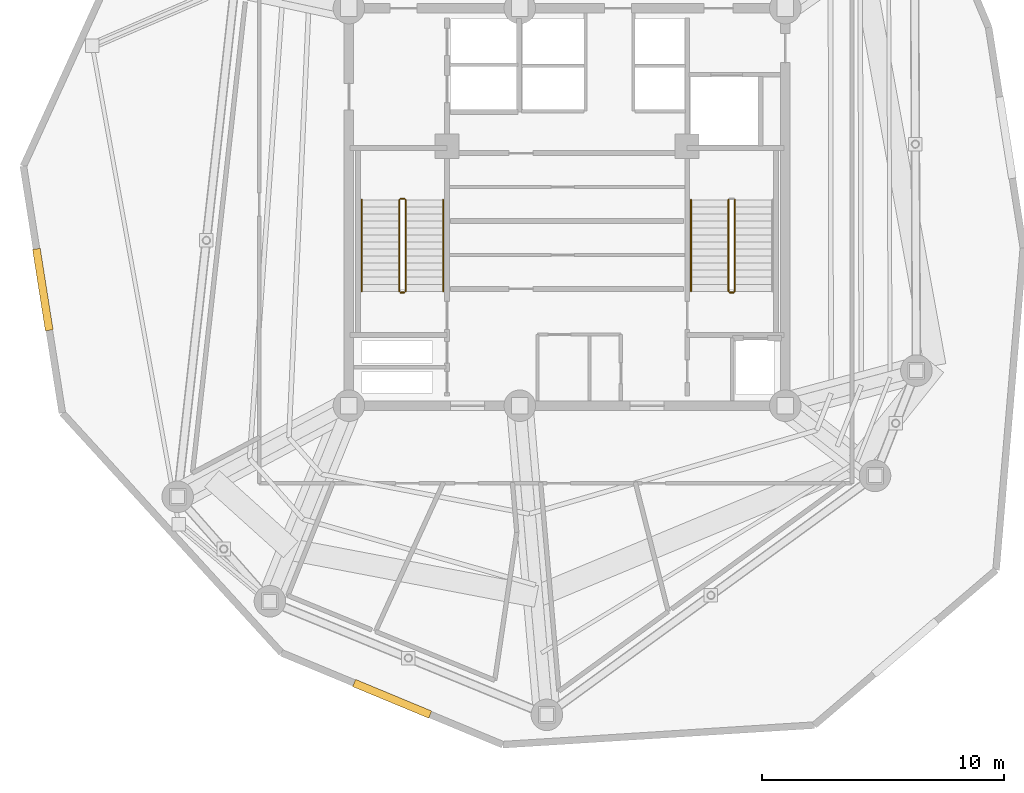
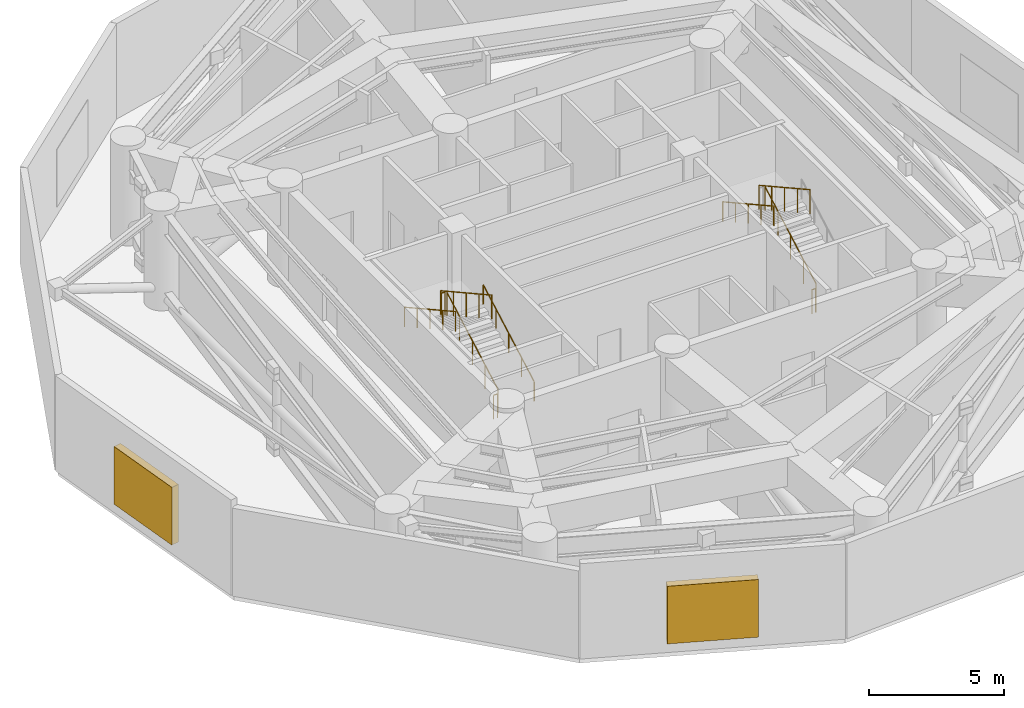
# One storey, part 9 of 11: 10 railings, 2 shading devices.
"""IFC4 building model written with IfcOpenShell, lengths in metres."""

import ifcopenshell
import ifcopenshell.guid

model = None  # the IFC model being written
_history = None  # IfcOwnerHistory: only IFC2X3 demands one
_inside = {}  # id of a spatial element -> (the spatial element, [elements in it])
_under = {}  # id of a project, library or spatial element -> (it, [spatial elements below it])
_declared = {}  # id of a project -> (the project, [libraries it declares])
_typed = {}  # id of a type object -> (the type object, [elements of that type])
_made_of = {}  # id of a material, layer set ... -> (it, [elements and type objects made of it])


def new_model(schema):
    """Start an empty IFC model of exactly this schema.

    Asked for "IFC4X3", IfcOpenShell would pick the latest addendum, in which some entities
    have other attributes; the version numbers below select the first issue.
    IFC2X3 requires an IfcOwnerHistory on every rooted entity: one is made here for all.
    """
    global model, _history
    if schema == "IFC4X3":
        model = ifcopenshell.file(schema_version=(4, 3, 0, 0))
    else:
        model = ifcopenshell.file(schema=schema)
    _inside.clear()
    _under.clear()
    _declared.clear()
    _typed.clear()
    _made_of.clear()
    _history = None
    if model.schema == "IFC2X3":
        org = make("IfcOrganization", Name="unknown")
        user = make(
            "IfcPersonAndOrganization",
            ThePerson=make("IfcPerson", FamilyName="unknown"),
            TheOrganization=org,
        )
        app = make(
            "IfcApplication",
            ApplicationDeveloper=org,
            Version="unknown",
            ApplicationFullName="unknown",
            ApplicationIdentifier="unknown",
        )
        _history = make(
            "IfcOwnerHistory",
            OwningUser=user,
            OwningApplication=app,
            ChangeAction="ADDED",
            CreationDate=0,
        )
    return model


def make(cls, **values):
    """One entity of the class cls with the attributes given. An attribute that is None is left unset."""
    return model.create_entity(
        cls, **{name: value for name, value in values.items() if value is not None}
    )


def rooted(cls, **values):
    """An entity with a GlobalId (a new one), such as an element, a storey or a relation."""
    return make(cls, GlobalId=ifcopenshell.guid.new(), OwnerHistory=_history, **values)


def si_unit(unit_type, name, prefix=None):
    """IfcSIUnit, for example si_unit("LENGTHUNIT", "METRE", prefix="MILLI")."""
    return make("IfcSIUnit", UnitType=unit_type, Prefix=prefix, Name=name)


def assignment(units):
    """IfcUnitAssignment: the units of a project."""
    return None if units is None else make("IfcUnitAssignment", Units=units)


def point(xyz):
    """IfcCartesianPoint."""
    return None if xyz is None else make("IfcCartesianPoint", Coordinates=xyz)


def direction(xyz):
    """IfcDirection."""
    return None if xyz is None else make("IfcDirection", DirectionRatios=xyz)


def frame(location, z_axis=None, x_axis=None):
    """IfcAxis2Placement3D, a coordinate frame: its origin and axes. An axis left out is left unset."""
    return make(
        "IfcAxis2Placement3D",
        Location=point(location),
        Axis=direction(z_axis),
        RefDirection=direction(x_axis),
    )


def frame_2d(location, x_axis=None):
    """IfcAxis2Placement2D, a coordinate frame in the plane: its origin and x axis."""
    return make(
        "IfcAxis2Placement2D", Location=point(location), RefDirection=direction(x_axis)
    )


def origin():
    """The frame at (0, 0, 0) with its axes left unset."""
    return frame((0.0, 0.0, 0.0))


def origin_with_axes():
    """The frame at (0, 0, 0) with the z axis (0, 0, 1) and the x axis (1, 0, 0) written out."""
    return frame((0.0, 0.0, 0.0), z_axis=(0.0, 0.0, 1.0), x_axis=(1.0, 0.0, 0.0))


def origin_2d():
    """The frame at (0, 0) in the plane with its x axis left unset."""
    return frame_2d((0.0, 0.0))


def place(relative_to, where):
    """IfcLocalPlacement: puts the frame where relative to a parent placement (None: the world)."""
    return make(
        "IfcLocalPlacement", PlacementRelTo=relative_to, RelativePlacement=where
    )


def context(
    kind, dimensions, precision=None, world=None, true_north=None, identifier=None
):
    """IfcGeometricRepresentationContext, for example the 3D "Model" context."""
    return make(
        "IfcGeometricRepresentationContext",
        ContextIdentifier=identifier,
        ContextType=kind,
        CoordinateSpaceDimension=dimensions,
        Precision=precision,
        WorldCoordinateSystem=world,
        TrueNorth=true_north,
    )


def subcontext(parent, identifier, kind, view, scale=None):
    """IfcGeometricRepresentationSubContext, for example "Body" below "Model"."""
    return make(
        "IfcGeometricRepresentationSubContext",
        ContextIdentifier=identifier,
        ContextType=kind,
        ParentContext=parent,
        TargetScale=scale,
        TargetView=view,
    )


def project(units=None, contexts=None):
    """IfcProject with its units and contexts."""
    return rooted(
        "IfcProject",
        Name="project",
        RepresentationContexts=contexts,
        UnitsInContext=assignment(units),
    )


def spatial(cls, under=None, at=None, **own):
    """A site, building, storey or space (cls), placed at a placement, below another one or the project."""
    s = rooted(cls, ObjectPlacement=at, **own)
    if under is not None:
        _under.setdefault(under.id(), (under, []))[1].append(s)
    return s


def profile(cls, at=None, kind="AREA", **sizes):
    """A parametric profile (cls). Its sizes go by their IFC names, for example OverallWidth=200.0."""
    return make(cls, ProfileType=kind, Position=at, **sizes)


def rectangle(**sizes):
    """IfcRectangleProfileDef."""
    return profile("IfcRectangleProfileDef", **sizes)


def circle(**sizes):
    """IfcCircleProfileDef."""
    return profile("IfcCircleProfileDef", **sizes)


def extrude(swept, where, along, depth):
    """IfcExtrudedAreaSolid: the profile swept, set in the frame where, extruded along a direction by depth."""
    return make(
        "IfcExtrudedAreaSolid",
        SweptArea=swept,
        Position=where,
        ExtrudedDirection=direction(along),
        Depth=depth,
    )


def shape(context_of_items, identifier, shape_type, items):
    """IfcShapeRepresentation: the items that make up one representation, for example the "Body"."""
    return make(
        "IfcShapeRepresentation",
        ContextOfItems=context_of_items,
        RepresentationIdentifier=identifier,
        RepresentationType=shape_type,
        Items=items,
    )


def source(mapping_origin, context_of_items, identifier, shape_type, items):
    """IfcRepresentationMap: a shape defined once, which mapped items show again and again."""
    return make(
        "IfcRepresentationMap",
        MappingOrigin=mapping_origin,
        MappedRepresentation=shape(context_of_items, identifier, shape_type, items),
    )


def transform(
    local_origin,
    x_axis=None,
    y_axis=None,
    z_axis=None,
    scale=None,
    scale2=None,
    scale3=None,
    uniform=True,
):
    """IfcCartesianTransformationOperator3D, or its non-uniform kind. x_axis, y_axis, z_axis: its Axis1, 2, 3."""
    if uniform:
        return make(
            "IfcCartesianTransformationOperator3D",
            Axis1=direction(x_axis),
            Axis2=direction(y_axis),
            LocalOrigin=point(local_origin),
            Scale=scale,
            Axis3=direction(z_axis),
        )
    return make(
        "IfcCartesianTransformationOperator3DnonUniform",
        Axis1=direction(x_axis),
        Axis2=direction(y_axis),
        LocalOrigin=point(local_origin),
        Scale=scale,
        Axis3=direction(z_axis),
        Scale2=scale2,
        Scale3=scale3,
    )


def mapped(mapping_source, mapping_target):
    """IfcMappedItem: shows the shape of a source again, moved by a transform."""
    return make(
        "IfcMappedItem", MappingSource=mapping_source, MappingTarget=mapping_target
    )


def material(Name=None, Category=None):
    """IfcMaterial."""
    return make("IfcMaterial", Name=Name, Category=Category)


def layer(
    of_material, thickness, ventilated=None, Name=None, Category=None, Priority=None
):
    """IfcMaterialLayer: one layer of a wall or slab, of a material (None: an air gap)."""
    return make(
        "IfcMaterialLayer",
        Material=of_material,
        LayerThickness=thickness,
        IsVentilated=ventilated,
        Name=Name,
        Category=Category,
        Priority=Priority,
    )


def layer_set(layers, Name=None):
    """IfcMaterialLayerSet."""
    return make("IfcMaterialLayerSet", MaterialLayers=layers, LayerSetName=Name)


def made_of(thing, what):
    """Note that an element or type object is made of a material, layer set ...; save() writes the relation."""
    if what is not None:
        _made_of.setdefault(what.id(), (what, []))[1].append(thing)
    return thing


def type_object(cls, material=None, **own):
    """A type object (cls), such as IfcWallType, which elements share."""
    return made_of(rooted(cls, **own), material)


def element(
    cls,
    number,
    at=None,
    inside=None,
    cuts=None,
    type_object=None,
    material=None,
    context=None,
    identifier="Body",
    shape_type=None,
    held_by="IfcProductDefinitionShape",
    body=None,
    shapes=None,
    **own,
):
    """One element of the class cls, such as IfcWall. Its Tag is "e" and its number.

    at: its placement. inside: the storey or other place that contains it. cuts: it is an
    opening in that element (IfcRelVoidsElement). A single representation is given by context,
    identifier, shape_type and body (its items); several are given by shapes. held_by: the class
    of the entity that holds the representations. save() writes the other relations.
    """
    e = rooted(cls, Tag="e%d" % number, ObjectPlacement=at, **own)
    if body is not None:
        shapes = [shape(context, identifier, shape_type, body)]
    if shapes is not None:
        e.Representation = make(held_by, Representations=shapes)
    if inside is not None:
        _inside.setdefault(inside.id(), (inside, []))[1].append(e)
    if cuts is not None:
        rooted(
            "IfcRelVoidsElement", RelatingBuildingElement=cuts, RelatedOpeningElement=e
        )
    if type_object is not None:
        _typed.setdefault(type_object.id(), (type_object, []))[1].append(e)
    return made_of(e, material)


def aggregate(whole, parts):
    """IfcRelAggregates: a whole, such as a stair, and the parts it consists of."""
    return rooted("IfcRelAggregates", RelatingObject=whole, RelatedObjects=parts)


def save(model, path):
    """Write the relations noted so far, then the file.

    IfcRelAggregates (storeys below a building ...), IfcRelContainedInSpatialStructure (elements
    in a storey), IfcRelDefinesByType, IfcRelAssociatesMaterial and IfcRelDeclares: one each for
    every whole, place, type object, material and project.
    """
    for whole, parts in _under.values():
        aggregate(whole, parts)
    for where, things in _inside.values():
        rooted(
            "IfcRelContainedInSpatialStructure",
            RelatedElements=things,
            RelatingStructure=where,
        )
    for kind, things in _typed.values():
        rooted("IfcRelDefinesByType", RelatedObjects=things, RelatingType=kind)
    for what, things in _made_of.values():
        rooted("IfcRelAssociatesMaterial", RelatedObjects=things, RelatingMaterial=what)
    for by, libraries in _declared.values():
        rooted("IfcRelDeclares", RelatingContext=by, RelatedDefinitions=libraries)
    model.write(path)


model = new_model("IFC4")

# Units and contexts
model_context = context("Model", 3, precision=1e-05, world=origin(), true_north=direction((0.0, 1.0)))
body_context = subcontext(model_context, "Body", "Model", "MODEL_VIEW")
ifc_project = project(units=[si_unit("LENGTHUNIT", "METRE"), si_unit("AREAUNIT", "SQUARE_METRE"), si_unit("VOLUMEUNIT", "CUBIC_METRE"), si_unit("PLANEANGLEUNIT", "RADIAN"), si_unit("MASSUNIT", "GRAM", prefix="KILO")], contexts=[model_context])

# Site, building, storey
site_placement = place(None, origin())
site = spatial("IfcSite", under=ifc_project, at=site_placement, CompositionType="ELEMENT")
building_placement = place(site_placement, origin())
building = spatial("IfcBuilding", under=site, at=building_placement, Name="Karkom Vertical University and Central Library", CompositionType="ELEMENT")
storey_placement = place(building_placement, frame((0.0, 0.0, 208.39990234375)))
storey = spatial("IfcBuildingStorey", under=building, at=storey_placement, Name="P61", CompositionType="ELEMENT", Elevation=208.39990234375)

# Railings
ifc_material_1 = material(Name="Painted galvanised steel balustrade", Category="steel")
ifc_layer_1 = layer(ifc_material_1, 0.06005859375)
ifc_layer_set_1 = layer_set([ifc_layer_1], Name="Painted galvanised steel balustrade")
railing_type_1 = type_object("IfcRailingType", Name="INT-RL-GUARD1100", PredefinedType="GUARDRAIL", material=ifc_layer_set_1)
railing_1_placement = place(storey_placement, frame((21.840087890625, 23.02001953125, 0.160888671875)))
element("IfcRailing", 1, at=railing_1_placement, inside=storey, type_object=railing_type_1, Name="Plant Level 61 ST-1 stair guard 1", PredefinedType="GUARDRAIL", context=body_context, shape_type="SweptSolid", body=[
    extrude(circle(Radius=0.02392578125, at=origin_2d()), frame((0.0, 0.0, 1.076171875), z_axis=(0.0, 0.874683116247, 0.484695209541), x_axis=(-1.0, 0.0, 0.0)), (0.0, 0.0, 1.0), 4.31005859375),
    extrude(circle(Radius=0.02099609375, at=origin_2d()), origin(), (0.0, 0.0, 1.0), 1.052001953125),
    extrude(circle(Radius=0.02099609375, at=origin_2d()), frame((0.0, 0.9423828125, 0.522216796875)), (0.0, 0.0, 1.0), 1.052001953125),
    extrude(circle(Radius=0.02099609375, at=origin_2d()), frame((0.0, 1.885009765625, 1.04443359375)), (0.0, 0.0, 1.0), 1.052001953125),
    extrude(circle(Radius=0.02099609375, at=origin_2d()), frame((0.0, 2.82763671875, 1.56689453125)), (0.0, 0.0, 1.0), 1.052001953125),
    extrude(circle(Radius=0.02099609375, at=origin_2d()), frame((0.0, 3.77001953125, 2.089111328125)), (0.0, 0.0, 1.0), 1.052001953125),
])
railing_2_placement = place(storey_placement, frame((21.7900390625, 26.840087890625, 2.25)))
element("IfcRailing", 2, at=railing_2_placement, inside=storey, type_object=railing_type_1, Name="Plant Level 61 ST-1 stair guard 2", PredefinedType="GUARDRAIL", context=body_context, shape_type="SweptSolid", body=[
    extrude(circle(Radius=0.02392578125, at=origin_2d()), frame((0.0, 0.0, 1.076171875), z_axis=(-1.0, 0.0, 0.0), x_axis=(0.0, -1.0, 0.0)), (0.0, 0.0, 1.0), 0.16015625),
    extrude(circle(Radius=0.02099609375, at=origin_2d()), origin(), (0.0, 0.0, 1.0), 1.052001953125),
    extrude(circle(Radius=0.02099609375, at=origin_2d()), frame((-0.16015625, 0.0, 0.0)), (0.0, 0.0, 1.0), 1.052001953125),
])
railing_3_placement = place(storey_placement, frame((21.580078125, 26.7900390625, 2.410888671875)))
element("IfcRailing", 3, at=railing_3_placement, inside=storey, type_object=railing_type_1, Name="Plant Level 61 ST-1 stair guard 3", PredefinedType="GUARDRAIL", context=body_context, shape_type="SweptSolid", body=[
    extrude(circle(Radius=0.02392578125, at=origin_2d()), frame((0.0, 0.0, 1.076171875), z_axis=(0.0, -0.874683116247, 0.484695209541), x_axis=(1.0, 0.0, 0.0)), (0.0, 0.0, 1.0), 4.31005859375),
    extrude(circle(Radius=0.02099609375, at=origin_2d()), origin(), (0.0, 0.0, 1.0), 1.052001953125),
    extrude(circle(Radius=0.02099609375, at=origin_2d()), frame((0.0, -0.9423828125, 0.522216796875)), (0.0, 0.0, 1.0), 1.052001953125),
    extrude(circle(Radius=0.02099609375, at=origin_2d()), frame((0.0, -1.885009765625, 1.04443359375)), (0.0, 0.0, 1.0), 1.052001953125),
    extrude(circle(Radius=0.02099609375, at=origin_2d()), frame((0.0, -2.82763671875, 1.56689453125)), (0.0, 0.0, 1.0), 1.052001953125),
    extrude(circle(Radius=0.02099609375, at=origin_2d()), frame((0.0, -3.77001953125, 2.089111328125)), (0.0, 0.0, 1.0), 1.052001953125),
])
railing_4_placement = place(storey_placement, frame((21.7900390625, 22.969970703125, 0.0)))
element("IfcRailing", 4, at=railing_4_placement, inside=storey, type_object=railing_type_1, Name="Plant Level 61 ST-1 stair guard 4", PredefinedType="GUARDRAIL", context=body_context, shape_type="SweptSolid", body=[
    extrude(circle(Radius=0.02392578125, at=origin_2d()), frame((0.0, 0.0, 1.076171875), z_axis=(-1.0, 0.0, 0.0), x_axis=(0.0, -1.0, 0.0)), (0.0, 0.0, 1.0), 0.16015625),
    extrude(circle(Radius=0.02099609375, at=origin_2d()), origin(), (0.0, 0.0, 1.0), 1.052001953125),
    extrude(circle(Radius=0.02099609375, at=origin_2d()), frame((-0.16015625, 0.0, 0.0)), (0.0, 0.0, 1.0), 1.052001953125),
])
railing_5_placement = place(storey_placement, frame((35.419921875, 23.02001953125, 0.160888671875)))
element("IfcRailing", 5, at=railing_5_placement, inside=storey, type_object=railing_type_1, Name="Plant Level 61 ST-2 stair guard 1", PredefinedType="GUARDRAIL", context=body_context, shape_type="SweptSolid", body=[
    extrude(circle(Radius=0.02392578125, at=origin_2d()), frame((0.0, 0.0, 1.076171875), z_axis=(0.0, 0.874683116247, 0.484695209541), x_axis=(-1.0, 0.0, 0.0)), (0.0, 0.0, 1.0), 4.31005859375),
    extrude(circle(Radius=0.02099609375, at=origin_2d()), origin(), (0.0, 0.0, 1.0), 1.052001953125),
    extrude(circle(Radius=0.02099609375, at=origin_2d()), frame((0.0, 0.9423828125, 0.522216796875)), (0.0, 0.0, 1.0), 1.052001953125),
    extrude(circle(Radius=0.02099609375, at=origin_2d()), frame((0.0, 1.885009765625, 1.04443359375)), (0.0, 0.0, 1.0), 1.052001953125),
    extrude(circle(Radius=0.02099609375, at=origin_2d()), frame((0.0, 2.82763671875, 1.56689453125)), (0.0, 0.0, 1.0), 1.052001953125),
    extrude(circle(Radius=0.02099609375, at=origin_2d()), frame((0.0, 3.77001953125, 2.089111328125)), (0.0, 0.0, 1.0), 1.052001953125),
])
railing_6_placement = place(storey_placement, frame((35.159912109375, 26.7900390625, 2.410888671875)))
element("IfcRailing", 6, at=railing_6_placement, inside=storey, type_object=railing_type_1, Name="Plant Level 61 ST-2 stair guard 3", PredefinedType="GUARDRAIL", context=body_context, shape_type="SweptSolid", body=[
    extrude(circle(Radius=0.02392578125, at=origin_2d()), frame((0.0, 0.0, 1.076171875), z_axis=(0.0, -0.874683116247, 0.484695209541), x_axis=(1.0, 0.0, 0.0)), (0.0, 0.0, 1.0), 4.31005859375),
    extrude(circle(Radius=0.02099609375, at=origin_2d()), origin(), (0.0, 0.0, 1.0), 1.052001953125),
    extrude(circle(Radius=0.02099609375, at=origin_2d()), frame((0.0, -0.9423828125, 0.522216796875)), (0.0, 0.0, 1.0), 1.052001953125),
    extrude(circle(Radius=0.02099609375, at=origin_2d()), frame((0.0, -1.885009765625, 1.04443359375)), (0.0, 0.0, 1.0), 1.052001953125),
    extrude(circle(Radius=0.02099609375, at=origin_2d()), frame((0.0, -2.82763671875, 1.56689453125)), (0.0, 0.0, 1.0), 1.052001953125),
    extrude(circle(Radius=0.02099609375, at=origin_2d()), frame((0.0, -3.77001953125, 2.089111328125)), (0.0, 0.0, 1.0), 1.052001953125),
])
railing_7_placement = place(storey_placement, frame((35.3701171875, 22.969970703125, 0.0)))
element("IfcRailing", 7, at=railing_7_placement, inside=storey, type_object=railing_type_1, Name="Plant Level 61 ST-2 stair guard 4", PredefinedType="GUARDRAIL", context=body_context, shape_type="SweptSolid", body=[
    extrude(circle(Radius=0.02392578125, at=origin_2d()), frame((0.0, 0.0, 1.076171875), z_axis=(-1.0, 0.0, 0.0), x_axis=(0.0, -1.0, 0.0)), (0.0, 0.0, 1.0), 0.16015625),
    extrude(circle(Radius=0.02099609375, at=origin_2d()), origin(), (0.0, 0.0, 1.0), 1.052001953125),
    extrude(circle(Radius=0.02099609375, at=origin_2d()), frame((-0.16015625, 0.0, 0.0)), (0.0, 0.0, 1.0), 1.052001953125),
])
ifc_material_2 = material(Name="Brushed stainless-steel tubular handrail", Category="steel")
ifc_layer_2 = layer(ifc_material_2, 0.048095703125)
ifc_layer_set_2 = layer_set([ifc_layer_2], Name="Brushed stainless-steel tubular handrail")
railing_type_2 = type_object("IfcRailingType", Name="INT-RL-HAND920", PredefinedType="HANDRAIL", material=ifc_layer_set_2)
railing_8_placement = place(storey_placement, frame((23.389892578125, 23.02001953125, 0.160888671875)))
element("IfcRailing", 8, at=railing_8_placement, inside=storey, type_object=railing_type_2, Name="Plant Level 61 ST-1 stair handrail 1", PredefinedType="HANDRAIL", context=body_context, shape_type="SweptSolid", body=[
    extrude(circle(Radius=0.02392578125, at=origin_2d()), frame((0.0, 0.0, 0.8759765625), z_axis=(0.0, 0.874683116247, 0.484695209541), x_axis=(-1.0, 0.0, 0.0)), (0.0, 0.0, 1.0), 4.31005859375),
    extrude(circle(Radius=0.02099609375, at=origin_2d()), origin(), (0.0, 0.0, 1.0), 0.851806640625),
    extrude(circle(Radius=0.02099609375, at=origin_2d()), frame((0.0, 0.9423828125, 0.522216796875)), (0.0, 0.0, 1.0), 0.851806640625),
    extrude(circle(Radius=0.02099609375, at=origin_2d()), frame((0.0, 1.885009765625, 1.04443359375)), (0.0, 0.0, 1.0), 0.851806640625),
    extrude(circle(Radius=0.02099609375, at=origin_2d()), frame((0.0, 2.82763671875, 1.56689453125)), (0.0, 0.0, 1.0), 0.851806640625),
    extrude(circle(Radius=0.02099609375, at=origin_2d()), frame((0.0, 3.77001953125, 2.089111328125)), (0.0, 0.0, 1.0), 0.851806640625),
])
for number, where, name in (
    (9, (20.030029296875, 26.7900390625, 2.410888671875), "Plant Level 61 ST-1 stair handrail 2"),
    (10, (33.610107421875, 26.7900390625, 2.410888671875), "Plant Level 61 ST-2 stair handrail 2"),
):
    element("IfcRailing", number, at=place(storey_placement, frame(where)), inside=storey, type_object=railing_type_2, Name=name, PredefinedType="HANDRAIL", context=body_context, shape_type="SweptSolid", body=[
        extrude(circle(Radius=0.02392578125, at=origin_2d()), frame((0.0, 0.0, 0.8759765625), z_axis=(0.0, -0.874683116247, 0.484695209541), x_axis=(1.0, 0.0, 0.0)), (0.0, 0.0, 1.0), 4.31005859375),
        extrude(circle(Radius=0.02099609375, at=origin_2d()), origin(), (0.0, 0.0, 1.0), 0.851806640625),
        extrude(circle(Radius=0.02099609375, at=origin_2d()), frame((0.0, -0.9423828125, 0.522216796875)), (0.0, 0.0, 1.0), 0.851806640625),
        extrude(circle(Radius=0.02099609375, at=origin_2d()), frame((0.0, -1.885009765625, 1.04443359375)), (0.0, 0.0, 1.0), 0.851806640625),
        extrude(circle(Radius=0.02099609375, at=origin_2d()), frame((0.0, -2.82763671875, 1.56689453125)), (0.0, 0.0, 1.0), 0.851806640625),
        extrude(circle(Radius=0.02099609375, at=origin_2d()), frame((0.0, -3.77001953125, 2.089111328125)), (0.0, 0.0, 1.0), 0.851806640625),
    ])

# Shading devices
ifc_material_3 = material(Name="Powder-coated aluminium acoustic weather louvre", Category="aluminium")
ifc_layer_3 = layer(ifc_material_3, 0.159912109375)
ifc_layer_set_3 = layer_set([ifc_layer_3], Name="Powder-coated aluminium acoustic weather louvre")
shading_device_type = type_object("IfcShadingDeviceType", Name="ENV-SHD-LOUVRE", PredefinedType="JALOUSIE", material=ifc_layer_set_3)
shared_shape = source(origin_with_axes(), body_context, "Body", "SweptSolid", [
    extrude(rectangle(XDim=3.39990234375, YDim=0.320068359375, at=origin_2d()), origin(), (0.0, 0.0, 1.0), 2.60009765625),
])
for number, where, z_axis, x_axis, name in (
    (11, (6.873779296875, 23.090087890625, 0.400146484375), (0.0, 0.0, 1.0), (0.155744890433, -0.987797311752, 0.0), "Plant Level 61 Mechanical Acoustic Louvre 01"),
    (12, (21.283935546875, 6.2099609375, 0.400146484375), (0.0, 0.0, 1.0), (0.923545226472, -0.383489523534, 0.0), "Plant Level 61 Mechanical Acoustic Louvre 03"),
):
    element("IfcShadingDevice", number, at=place(storey_placement, frame(where, z_axis=z_axis, x_axis=x_axis)), inside=storey, type_object=shading_device_type, Name=name, PredefinedType="JALOUSIE", context=body_context, shape_type="MappedRepresentation", body=[
        mapped(shared_shape, transform((0.0, 0.0, 0.0), scale=1.0)),
    ])

save(model, "model.ifc")
